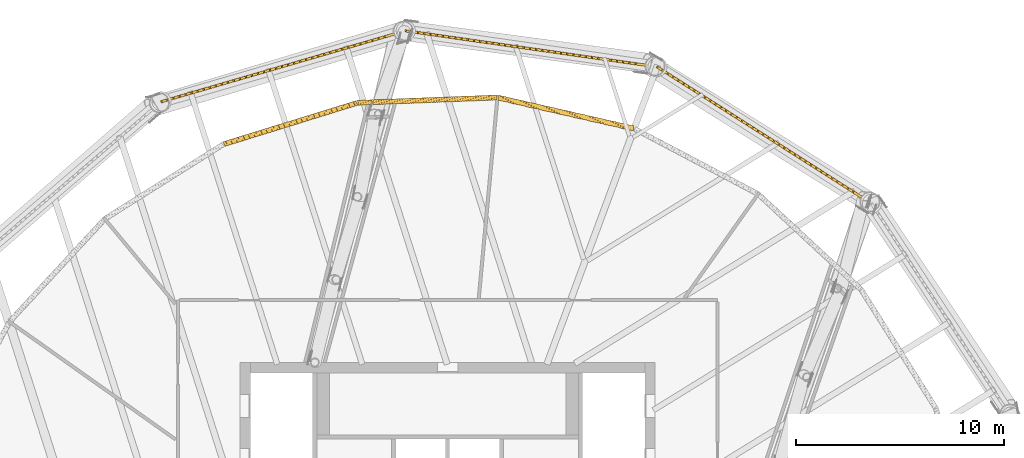
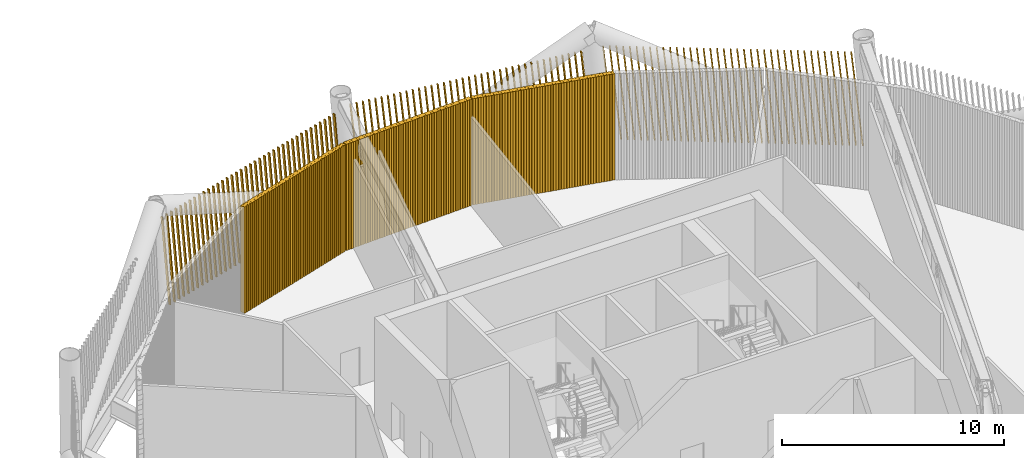
# One storey, part 39 of 40: 6 shading devices.
"""IFC4 building model written with IfcOpenShell, lengths in metres."""

from ifc_helpers import new_model, si_unit, direction, frame, frame_2d, origin, place, context, subcontext, project, spatial, rectangle, composite_profile, extrude, material, type_object, element, save


model = new_model("IFC4")

# Units and contexts
model_context = context("Model", 3, precision=1e-05, world=origin(), true_north=direction((0.0, 1.0)))
body_context = subcontext(model_context, "Body", "Model", "MODEL_VIEW")
ifc_project = project(units=[si_unit("LENGTHUNIT", "METRE"), si_unit("AREAUNIT", "SQUARE_METRE"), si_unit("VOLUMEUNIT", "CUBIC_METRE"), si_unit("PLANEANGLEUNIT", "RADIAN"), si_unit("MASSUNIT", "GRAM", prefix="KILO")], contexts=[model_context])

# Site, building, storey
site_placement = place(None, origin())
site = spatial("IfcSite", under=ifc_project, at=site_placement, CompositionType="ELEMENT")
building_placement = place(site_placement, origin())
building = spatial("IfcBuilding", under=site, at=building_placement, Name="Tarsis Ring Headquarters", CompositionType="ELEMENT")
storey_placement = place(building_placement, frame((0.0, 0.0, 354.800048828125)))
storey = spatial("IfcBuildingStorey", under=building, at=storey_placement, Name="L84", CompositionType="ELEMENT", Elevation=354.800048828125)

# Shading devices
ifc_material_1 = material(Name="Aluminium louvre", Category="aluminium")
shading_device_type_1 = type_object("IfcShadingDeviceType", Name="Plant louvre fin", PredefinedType="USERDEFINED", material=ifc_material_1)
shading_device_1_placement = place(storey_placement, frame((8.968994140625, 24.267333984375, 0.0), z_axis=(0.0, 0.0, 1.0), x_axis=(-0.975082634122, 0.221895318005, 0.0)))
element("IfcShadingDevice", 1, at=shading_device_1_placement, inside=storey, type_object=shading_device_type_1, Name="Louvre L84-24", ObjectType="Louvre", PredefinedType="USERDEFINED", context=body_context, shape_type="SweptSolid", body=[
    extrude(composite_profile([rectangle(XDim=0.1201171875, YDim=0.239990234375, at=frame_2d((0.076171875, 0.0), x_axis=(0.990268068742, 0.13917310096))), rectangle(XDim=0.1201171875, YDim=0.239990234375, at=frame_2d((0.202392578125, 0.0), x_axis=(0.990268068742, 0.13917310096))), rectangle(XDim=0.1201171875, YDim=0.239990234375, at=frame_2d((0.328857421875, 0.0), x_axis=(0.990268068742, 0.13917310096))), rectangle(XDim=0.1201171875, YDim=0.239990234375, at=frame_2d((0.455078125, 0.0), x_axis=(0.990268068742, 0.13917310096))), rectangle(XDim=0.1201171875, YDim=0.239990234375, at=frame_2d((0.58154296875, 0.0), x_axis=(0.990268068742, 0.13917310096))), rectangle(XDim=0.1201171875, YDim=0.239990234375, at=frame_2d((0.707763671875, 0.0), x_axis=(0.990268068742, 0.13917310096))), rectangle(XDim=0.1201171875, YDim=0.239990234375, at=frame_2d((0.834228515625, 0.0), x_axis=(0.990268068742, 0.13917310096))), rectangle(XDim=0.1201171875, YDim=0.239990234375, at=frame_2d((0.96044921875, 0.0), x_axis=(0.990268068742, 0.13917310096))), rectangle(XDim=0.1201171875, YDim=0.239990234375, at=frame_2d((1.0869140625, 0.0), x_axis=(0.990268068742, 0.13917310096))), rectangle(XDim=0.1201171875, YDim=0.239990234375, at=frame_2d((1.213134765625, 0.0), x_axis=(0.990268068742, 0.13917310096))), rectangle(XDim=0.1201171875, YDim=0.239990234375, at=frame_2d((1.33935546875, 0.0), x_axis=(0.990268068742, 0.13917310096))), rectangle(XDim=0.1201171875, YDim=0.239990234375, at=frame_2d((1.4658203125, 0.0), x_axis=(0.990268068742, 0.13917310096))), rectangle(XDim=0.1201171875, YDim=0.239990234375, at=frame_2d((1.592041015625, 0.0), x_axis=(0.990268068742, 0.13917310096))), rectangle(XDim=0.1201171875, YDim=0.239990234375, at=frame_2d((1.718505859375, 0.0), x_axis=(0.990268068742, 0.13917310096))), rectangle(XDim=0.1201171875, YDim=0.239990234375, at=frame_2d((1.8447265625, 0.0), x_axis=(0.990268068742, 0.13917310096))), rectangle(XDim=0.1201171875, YDim=0.239990234375, at=frame_2d((1.97119140625, 0.0), x_axis=(0.990268068742, 0.13917310096))), rectangle(XDim=0.1201171875, YDim=0.239990234375, at=frame_2d((2.097412109375, 0.0), x_axis=(0.990268068742, 0.13917310096))), rectangle(XDim=0.1201171875, YDim=0.239990234375, at=frame_2d((2.223876953125, 0.0), x_axis=(0.990268068742, 0.13917310096))), rectangle(XDim=0.1201171875, YDim=0.239990234375, at=frame_2d((2.35009765625, 0.0), x_axis=(0.990268068742, 0.13917310096))), rectangle(XDim=0.1201171875, YDim=0.239990234375, at=frame_2d((2.476318359375, 0.0), x_axis=(0.990268068742, 0.13917310096))), rectangle(XDim=0.1201171875, YDim=0.239990234375, at=frame_2d((2.602783203125, 0.0), x_axis=(0.990268068742, 0.13917310096))), rectangle(XDim=0.1201171875, YDim=0.239990234375, at=frame_2d((2.72900390625, 0.0), x_axis=(0.990268068742, 0.13917310096))), rectangle(XDim=0.1201171875, YDim=0.239990234375, at=frame_2d((2.85546875, 0.0), x_axis=(0.990268068742, 0.13917310096))), rectangle(XDim=0.1201171875, YDim=0.239990234375, at=frame_2d((2.981689453125, 0.0), x_axis=(0.990268068742, 0.13917310096))), rectangle(XDim=0.1201171875, YDim=0.239990234375, at=frame_2d((3.108154296875, 0.0), x_axis=(0.990268068742, 0.13917310096))), rectangle(XDim=0.1201171875, YDim=0.239990234375, at=frame_2d((3.234375, 0.0), x_axis=(0.990268068742, 0.13917310096))), rectangle(XDim=0.1201171875, YDim=0.239990234375, at=frame_2d((3.36083984375, 0.0), x_axis=(0.990268068742, 0.13917310096))), rectangle(XDim=0.1201171875, YDim=0.239990234375, at=frame_2d((3.487060546875, 0.0), x_axis=(0.990268068742, 0.13917310096))), rectangle(XDim=0.1201171875, YDim=0.239990234375, at=frame_2d((3.61328125, 0.0), x_axis=(0.990268068742, 0.13917310096))), rectangle(XDim=0.1201171875, YDim=0.239990234375, at=frame_2d((3.73974609375, 0.0), x_axis=(0.990268068742, 0.13917310096))), rectangle(XDim=0.1201171875, YDim=0.239990234375, at=frame_2d((3.865966796875, 0.0), x_axis=(0.990268068742, 0.13917310096))), rectangle(XDim=0.1201171875, YDim=0.239990234375, at=frame_2d((3.992431640625, 0.0), x_axis=(0.990268068742, 0.13917310096))), rectangle(XDim=0.1201171875, YDim=0.239990234375, at=frame_2d((4.11865234375, 0.0), x_axis=(0.990268068742, 0.13917310096))), rectangle(XDim=0.1201171875, YDim=0.239990234375, at=frame_2d((4.2451171875, 0.0), x_axis=(0.990268068742, 0.13917310096))), rectangle(XDim=0.1201171875, YDim=0.239990234375, at=frame_2d((4.371337890625, 0.0), x_axis=(0.990268068742, 0.13917310096))), rectangle(XDim=0.1201171875, YDim=0.239990234375, at=frame_2d((4.49755859375, 0.0), x_axis=(0.990268068742, 0.13917310096))), rectangle(XDim=0.1201171875, YDim=0.239990234375, at=frame_2d((4.6240234375, 0.0), x_axis=(0.990268068742, 0.13917310096))), rectangle(XDim=0.1201171875, YDim=0.239990234375, at=frame_2d((4.750244140625, 0.0), x_axis=(0.990268068742, 0.13917310096))), rectangle(XDim=0.1201171875, YDim=0.239990234375, at=frame_2d((4.876708984375, 0.0), x_axis=(0.990268068742, 0.13917310096))), rectangle(XDim=0.1201171875, YDim=0.239990234375, at=frame_2d((5.0029296875, 0.0), x_axis=(0.990268068742, 0.13917310096))), rectangle(XDim=0.1201171875, YDim=0.239990234375, at=frame_2d((5.12939453125, 0.0), x_axis=(0.990268068742, 0.13917310096))), rectangle(XDim=0.1201171875, YDim=0.239990234375, at=frame_2d((5.255615234375, 0.0), x_axis=(0.990268068742, 0.13917310096))), rectangle(XDim=0.1201171875, YDim=0.239990234375, at=frame_2d((5.382080078125, 0.0), x_axis=(0.990268068742, 0.13917310096))), rectangle(XDim=0.1201171875, YDim=0.239990234375, at=frame_2d((5.50830078125, 0.0), x_axis=(0.990268068742, 0.13917310096))), rectangle(XDim=0.1201171875, YDim=0.239990234375, at=frame_2d((5.634521484375, 0.0), x_axis=(0.990268068742, 0.13917310096))), rectangle(XDim=0.1201171875, YDim=0.239990234375, at=frame_2d((5.760986328125, 0.0), x_axis=(0.990268068742, 0.13917310096))), rectangle(XDim=0.1201171875, YDim=0.239990234375, at=frame_2d((5.88720703125, 0.0), x_axis=(0.990268068742, 0.13917310096))), rectangle(XDim=0.1201171875, YDim=0.239990234375, at=frame_2d((6.013671875, 0.0), x_axis=(0.990268068742, 0.13917310096))), rectangle(XDim=0.1201171875, YDim=0.239990234375, at=frame_2d((6.139892578125, 0.0), x_axis=(0.990268068742, 0.13917310096))), rectangle(XDim=0.1201171875, YDim=0.239990234375, at=frame_2d((6.266357421875, 0.0), x_axis=(0.990268068742, 0.13917310096))), rectangle(XDim=0.1201171875, YDim=0.239990234375, at=frame_2d((6.392578125, 0.0), x_axis=(0.990268068742, 0.13917310096))), rectangle(XDim=0.1201171875, YDim=0.239990234375, at=frame_2d((6.51904296875, 0.0), x_axis=(0.990268068742, 0.13917310096))), rectangle(XDim=0.1201171875, YDim=0.239990234375, at=frame_2d((6.645263671875, 0.0), x_axis=(0.990268068742, 0.13917310096)))]), origin(), (0.0, 0.0, 1.0), 5.83984375),
])
shading_device_2_placement = place(storey_placement, frame((2.382568359375, 25.76171875, 0.0), z_axis=(0.0, 0.0, 1.0), x_axis=(-0.99927357257, -0.038028475955, 0.0)))
element("IfcShadingDevice", 2, at=shading_device_2_placement, inside=storey, type_object=shading_device_type_1, Name="Louvre L84-25", ObjectType="Louvre", PredefinedType="USERDEFINED", context=body_context, shape_type="SweptSolid", body=[
    extrude(composite_profile([rectangle(XDim=0.1201171875, YDim=0.239990234375, at=frame_2d((0.076171875, 0.0), x_axis=(0.990268068742, 0.13917310096))), rectangle(XDim=0.1201171875, YDim=0.239990234375, at=frame_2d((0.202392578125, 0.0), x_axis=(0.990268068742, 0.13917310096))), rectangle(XDim=0.1201171875, YDim=0.239990234375, at=frame_2d((0.328857421875, 0.0), x_axis=(0.990268068742, 0.13917310096))), rectangle(XDim=0.1201171875, YDim=0.239990234375, at=frame_2d((0.455078125, 0.0), x_axis=(0.990268068742, 0.13917310096))), rectangle(XDim=0.1201171875, YDim=0.239990234375, at=frame_2d((0.58154296875, 0.0), x_axis=(0.990268068742, 0.13917310096))), rectangle(XDim=0.1201171875, YDim=0.239990234375, at=frame_2d((0.707763671875, 0.0), x_axis=(0.990268068742, 0.13917310096))), rectangle(XDim=0.1201171875, YDim=0.239990234375, at=frame_2d((0.834228515625, 0.0), x_axis=(0.990268068742, 0.13917310096))), rectangle(XDim=0.1201171875, YDim=0.239990234375, at=frame_2d((0.96044921875, 0.0), x_axis=(0.990268068742, 0.13917310096))), rectangle(XDim=0.1201171875, YDim=0.239990234375, at=frame_2d((1.0869140625, 0.0), x_axis=(0.990268068742, 0.13917310096))), rectangle(XDim=0.1201171875, YDim=0.239990234375, at=frame_2d((1.213134765625, 0.0), x_axis=(0.990268068742, 0.13917310096))), rectangle(XDim=0.1201171875, YDim=0.239990234375, at=frame_2d((1.339599609375, 0.0), x_axis=(0.990268068742, 0.13917310096))), rectangle(XDim=0.1201171875, YDim=0.239990234375, at=frame_2d((1.4658203125, 0.0), x_axis=(0.990268068742, 0.13917310096))), rectangle(XDim=0.1201171875, YDim=0.239990234375, at=frame_2d((1.59228515625, 0.0), x_axis=(0.990268068742, 0.13917310096))), rectangle(XDim=0.1201171875, YDim=0.239990234375, at=frame_2d((1.718505859375, 0.0), x_axis=(0.990268068742, 0.13917310096))), rectangle(XDim=0.1201171875, YDim=0.239990234375, at=frame_2d((1.8447265625, 0.0), x_axis=(0.990268068742, 0.13917310096))), rectangle(XDim=0.1201171875, YDim=0.239990234375, at=frame_2d((1.97119140625, 0.0), x_axis=(0.990268068742, 0.13917310096))), rectangle(XDim=0.1201171875, YDim=0.239990234375, at=frame_2d((2.097412109375, 0.0), x_axis=(0.990268068742, 0.13917310096))), rectangle(XDim=0.1201171875, YDim=0.239990234375, at=frame_2d((2.223876953125, 0.0), x_axis=(0.990268068742, 0.13917310096))), rectangle(XDim=0.1201171875, YDim=0.239990234375, at=frame_2d((2.35009765625, 0.0), x_axis=(0.990268068742, 0.13917310096))), rectangle(XDim=0.1201171875, YDim=0.239990234375, at=frame_2d((2.4765625, 0.0), x_axis=(0.990268068742, 0.13917310096))), rectangle(XDim=0.1201171875, YDim=0.239990234375, at=frame_2d((2.602783203125, 0.0), x_axis=(0.990268068742, 0.13917310096))), rectangle(XDim=0.1201171875, YDim=0.239990234375, at=frame_2d((2.729248046875, 0.0), x_axis=(0.990268068742, 0.13917310096))), rectangle(XDim=0.1201171875, YDim=0.239990234375, at=frame_2d((2.85546875, 0.0), x_axis=(0.990268068742, 0.13917310096))), rectangle(XDim=0.1201171875, YDim=0.239990234375, at=frame_2d((2.98193359375, 0.0), x_axis=(0.990268068742, 0.13917310096))), rectangle(XDim=0.1201171875, YDim=0.239990234375, at=frame_2d((3.108154296875, 0.0), x_axis=(0.990268068742, 0.13917310096))), rectangle(XDim=0.1201171875, YDim=0.239990234375, at=frame_2d((3.234619140625, 0.0), x_axis=(0.990268068742, 0.13917310096))), rectangle(XDim=0.1201171875, YDim=0.239990234375, at=frame_2d((3.36083984375, 0.0), x_axis=(0.990268068742, 0.13917310096))), rectangle(XDim=0.1201171875, YDim=0.239990234375, at=frame_2d((3.487060546875, 0.0), x_axis=(0.990268068742, 0.13917310096))), rectangle(XDim=0.1201171875, YDim=0.239990234375, at=frame_2d((3.613525390625, 0.0), x_axis=(0.990268068742, 0.13917310096))), rectangle(XDim=0.1201171875, YDim=0.239990234375, at=frame_2d((3.73974609375, 0.0), x_axis=(0.990268068742, 0.13917310096))), rectangle(XDim=0.1201171875, YDim=0.239990234375, at=frame_2d((3.8662109375, 0.0), x_axis=(0.990268068742, 0.13917310096))), rectangle(XDim=0.1201171875, YDim=0.239990234375, at=frame_2d((3.992431640625, 0.0), x_axis=(0.990268068742, 0.13917310096))), rectangle(XDim=0.1201171875, YDim=0.239990234375, at=frame_2d((4.118896484375, 0.0), x_axis=(0.990268068742, 0.13917310096))), rectangle(XDim=0.1201171875, YDim=0.239990234375, at=frame_2d((4.2451171875, 0.0), x_axis=(0.990268068742, 0.13917310096))), rectangle(XDim=0.1201171875, YDim=0.239990234375, at=frame_2d((4.37158203125, 0.0), x_axis=(0.990268068742, 0.13917310096))), rectangle(XDim=0.1201171875, YDim=0.239990234375, at=frame_2d((4.497802734375, 0.0), x_axis=(0.990268068742, 0.13917310096))), rectangle(XDim=0.1201171875, YDim=0.239990234375, at=frame_2d((4.624267578125, 0.0), x_axis=(0.990268068742, 0.13917310096))), rectangle(XDim=0.1201171875, YDim=0.239990234375, at=frame_2d((4.75048828125, 0.0), x_axis=(0.990268068742, 0.13917310096))), rectangle(XDim=0.1201171875, YDim=0.239990234375, at=frame_2d((4.876953125, 0.0), x_axis=(0.990268068742, 0.13917310096))), rectangle(XDim=0.1201171875, YDim=0.239990234375, at=frame_2d((5.003173828125, 0.0), x_axis=(0.990268068742, 0.13917310096))), rectangle(XDim=0.1201171875, YDim=0.239990234375, at=frame_2d((5.12939453125, 0.0), x_axis=(0.990268068742, 0.13917310096))), rectangle(XDim=0.1201171875, YDim=0.239990234375, at=frame_2d((5.255859375, 0.0), x_axis=(0.990268068742, 0.13917310096))), rectangle(XDim=0.1201171875, YDim=0.239990234375, at=frame_2d((5.382080078125, 0.0), x_axis=(0.990268068742, 0.13917310096))), rectangle(XDim=0.1201171875, YDim=0.239990234375, at=frame_2d((5.508544921875, 0.0), x_axis=(0.990268068742, 0.13917310096))), rectangle(XDim=0.1201171875, YDim=0.239990234375, at=frame_2d((5.634765625, 0.0), x_axis=(0.990268068742, 0.13917310096))), rectangle(XDim=0.1201171875, YDim=0.239990234375, at=frame_2d((5.76123046875, 0.0), x_axis=(0.990268068742, 0.13917310096))), rectangle(XDim=0.1201171875, YDim=0.239990234375, at=frame_2d((5.887451171875, 0.0), x_axis=(0.990268068742, 0.13917310096))), rectangle(XDim=0.1201171875, YDim=0.239990234375, at=frame_2d((6.013916015625, 0.0), x_axis=(0.990268068742, 0.13917310096))), rectangle(XDim=0.1201171875, YDim=0.239990234375, at=frame_2d((6.14013671875, 0.0), x_axis=(0.990268068742, 0.13917310096))), rectangle(XDim=0.1201171875, YDim=0.239990234375, at=frame_2d((6.2666015625, 0.0), x_axis=(0.990268068742, 0.13917310096))), rectangle(XDim=0.1201171875, YDim=0.239990234375, at=frame_2d((6.392822265625, 0.0), x_axis=(0.990268068742, 0.13917310096))), rectangle(XDim=0.1201171875, YDim=0.239990234375, at=frame_2d((6.519287109375, 0.0), x_axis=(0.990268068742, 0.13917310096))), rectangle(XDim=0.1201171875, YDim=0.239990234375, at=frame_2d((6.6455078125, 0.0), x_axis=(0.990268068742, 0.13917310096)))]), origin(), (0.0, 0.0, 1.0), 5.83984375),
])
shading_device_3_placement = place(storey_placement, frame((-4.3662109375, 25.500732421875, 0.0), z_axis=(0.0, 0.0, 1.0), x_axis=(-0.955395735716, -0.295376121463, 0.0)))
element("IfcShadingDevice", 3, at=shading_device_3_placement, inside=storey, type_object=shading_device_type_1, Name="Louvre L84-26", ObjectType="Louvre", PredefinedType="USERDEFINED", context=body_context, shape_type="SweptSolid", body=[
    extrude(composite_profile([rectangle(XDim=0.1201171875, YDim=0.239990234375, at=frame_2d((0.076171875, 0.0), x_axis=(0.990268068742, 0.13917310096))), rectangle(XDim=0.1201171875, YDim=0.239990234375, at=frame_2d((0.202392578125, 0.0), x_axis=(0.990268068742, 0.13917310096))), rectangle(XDim=0.1201171875, YDim=0.239990234375, at=frame_2d((0.328857421875, 0.0), x_axis=(0.990268068742, 0.13917310096))), rectangle(XDim=0.1201171875, YDim=0.239990234375, at=frame_2d((0.455078125, 0.0), x_axis=(0.990268068742, 0.13917310096))), rectangle(XDim=0.1201171875, YDim=0.239990234375, at=frame_2d((0.58154296875, 0.0), x_axis=(0.990268068742, 0.13917310096))), rectangle(XDim=0.1201171875, YDim=0.239990234375, at=frame_2d((0.707763671875, 0.0), x_axis=(0.990268068742, 0.13917310096))), rectangle(XDim=0.1201171875, YDim=0.239990234375, at=frame_2d((0.834228515625, 0.0), x_axis=(0.990268068742, 0.13917310096))), rectangle(XDim=0.1201171875, YDim=0.239990234375, at=frame_2d((0.96044921875, 0.0), x_axis=(0.990268068742, 0.13917310096))), rectangle(XDim=0.1201171875, YDim=0.239990234375, at=frame_2d((1.0869140625, 0.0), x_axis=(0.990268068742, 0.13917310096))), rectangle(XDim=0.1201171875, YDim=0.239990234375, at=frame_2d((1.213134765625, 0.0), x_axis=(0.990268068742, 0.13917310096))), rectangle(XDim=0.1201171875, YDim=0.239990234375, at=frame_2d((1.33935546875, 0.0), x_axis=(0.990268068742, 0.13917310096))), rectangle(XDim=0.1201171875, YDim=0.239990234375, at=frame_2d((1.4658203125, 0.0), x_axis=(0.990268068742, 0.13917310096))), rectangle(XDim=0.1201171875, YDim=0.239990234375, at=frame_2d((1.592041015625, 0.0), x_axis=(0.990268068742, 0.13917310096))), rectangle(XDim=0.1201171875, YDim=0.239990234375, at=frame_2d((1.718505859375, 0.0), x_axis=(0.990268068742, 0.13917310096))), rectangle(XDim=0.1201171875, YDim=0.239990234375, at=frame_2d((1.8447265625, 0.0), x_axis=(0.990268068742, 0.13917310096))), rectangle(XDim=0.1201171875, YDim=0.239990234375, at=frame_2d((1.97119140625, 0.0), x_axis=(0.990268068742, 0.13917310096))), rectangle(XDim=0.1201171875, YDim=0.239990234375, at=frame_2d((2.097412109375, 0.0), x_axis=(0.990268068742, 0.13917310096))), rectangle(XDim=0.1201171875, YDim=0.239990234375, at=frame_2d((2.223876953125, 0.0), x_axis=(0.990268068742, 0.13917310096))), rectangle(XDim=0.1201171875, YDim=0.239990234375, at=frame_2d((2.35009765625, 0.0), x_axis=(0.990268068742, 0.13917310096))), rectangle(XDim=0.1201171875, YDim=0.239990234375, at=frame_2d((2.476318359375, 0.0), x_axis=(0.990268068742, 0.13917310096))), rectangle(XDim=0.1201171875, YDim=0.239990234375, at=frame_2d((2.602783203125, 0.0), x_axis=(0.990268068742, 0.13917310096))), rectangle(XDim=0.1201171875, YDim=0.239990234375, at=frame_2d((2.72900390625, 0.0), x_axis=(0.990268068742, 0.13917310096))), rectangle(XDim=0.1201171875, YDim=0.239990234375, at=frame_2d((2.85546875, 0.0), x_axis=(0.990268068742, 0.13917310096))), rectangle(XDim=0.1201171875, YDim=0.239990234375, at=frame_2d((2.981689453125, 0.0), x_axis=(0.990268068742, 0.13917310096))), rectangle(XDim=0.1201171875, YDim=0.239990234375, at=frame_2d((3.108154296875, 0.0), x_axis=(0.990268068742, 0.13917310096))), rectangle(XDim=0.1201171875, YDim=0.239990234375, at=frame_2d((3.234375, 0.0), x_axis=(0.990268068742, 0.13917310096))), rectangle(XDim=0.1201171875, YDim=0.239990234375, at=frame_2d((3.36083984375, 0.0), x_axis=(0.990268068742, 0.13917310096))), rectangle(XDim=0.1201171875, YDim=0.239990234375, at=frame_2d((3.487060546875, 0.0), x_axis=(0.990268068742, 0.13917310096))), rectangle(XDim=0.1201171875, YDim=0.239990234375, at=frame_2d((3.61328125, 0.0), x_axis=(0.990268068742, 0.13917310096))), rectangle(XDim=0.1201171875, YDim=0.239990234375, at=frame_2d((3.73974609375, 0.0), x_axis=(0.990268068742, 0.13917310096))), rectangle(XDim=0.1201171875, YDim=0.239990234375, at=frame_2d((3.865966796875, 0.0), x_axis=(0.990268068742, 0.13917310096))), rectangle(XDim=0.1201171875, YDim=0.239990234375, at=frame_2d((3.992431640625, 0.0), x_axis=(0.990268068742, 0.13917310096))), rectangle(XDim=0.1201171875, YDim=0.239990234375, at=frame_2d((4.11865234375, 0.0), x_axis=(0.990268068742, 0.13917310096))), rectangle(XDim=0.1201171875, YDim=0.239990234375, at=frame_2d((4.2451171875, 0.0), x_axis=(0.990268068742, 0.13917310096))), rectangle(XDim=0.1201171875, YDim=0.239990234375, at=frame_2d((4.371337890625, 0.0), x_axis=(0.990268068742, 0.13917310096))), rectangle(XDim=0.1201171875, YDim=0.239990234375, at=frame_2d((4.49755859375, 0.0), x_axis=(0.990268068742, 0.13917310096))), rectangle(XDim=0.1201171875, YDim=0.239990234375, at=frame_2d((4.6240234375, 0.0), x_axis=(0.990268068742, 0.13917310096))), rectangle(XDim=0.1201171875, YDim=0.239990234375, at=frame_2d((4.750244140625, 0.0), x_axis=(0.990268068742, 0.13917310096))), rectangle(XDim=0.1201171875, YDim=0.239990234375, at=frame_2d((4.876708984375, 0.0), x_axis=(0.990268068742, 0.13917310096))), rectangle(XDim=0.1201171875, YDim=0.239990234375, at=frame_2d((5.0029296875, 0.0), x_axis=(0.990268068742, 0.13917310096))), rectangle(XDim=0.1201171875, YDim=0.239990234375, at=frame_2d((5.12939453125, 0.0), x_axis=(0.990268068742, 0.13917310096))), rectangle(XDim=0.1201171875, YDim=0.239990234375, at=frame_2d((5.255615234375, 0.0), x_axis=(0.990268068742, 0.13917310096))), rectangle(XDim=0.1201171875, YDim=0.239990234375, at=frame_2d((5.382080078125, 0.0), x_axis=(0.990268068742, 0.13917310096))), rectangle(XDim=0.1201171875, YDim=0.239990234375, at=frame_2d((5.50830078125, 0.0), x_axis=(0.990268068742, 0.13917310096))), rectangle(XDim=0.1201171875, YDim=0.239990234375, at=frame_2d((5.634521484375, 0.0), x_axis=(0.990268068742, 0.13917310096))), rectangle(XDim=0.1201171875, YDim=0.239990234375, at=frame_2d((5.760986328125, 0.0), x_axis=(0.990268068742, 0.13917310096))), rectangle(XDim=0.1201171875, YDim=0.239990234375, at=frame_2d((5.88720703125, 0.0), x_axis=(0.990268068742, 0.13917310096))), rectangle(XDim=0.1201171875, YDim=0.239990234375, at=frame_2d((6.013671875, 0.0), x_axis=(0.990268068742, 0.13917310096))), rectangle(XDim=0.1201171875, YDim=0.239990234375, at=frame_2d((6.139892578125, 0.0), x_axis=(0.990268068742, 0.13917310096))), rectangle(XDim=0.1201171875, YDim=0.239990234375, at=frame_2d((6.266357421875, 0.0), x_axis=(0.990268068742, 0.13917310096))), rectangle(XDim=0.1201171875, YDim=0.239990234375, at=frame_2d((6.392578125, 0.0), x_axis=(0.990268068742, 0.13917310096))), rectangle(XDim=0.1201171875, YDim=0.239990234375, at=frame_2d((6.51904296875, 0.0), x_axis=(0.990268068742, 0.13917310096))), rectangle(XDim=0.1201171875, YDim=0.239990234375, at=frame_2d((6.645263671875, 0.0), x_axis=(0.990268068742, 0.13917310096)))]), origin(), (0.0, 0.0, 1.0), 5.83984375),
])
ifc_material_2 = material(Name="Terracotta baguette", Category="masonry")
shading_device_type_2 = type_object("IfcShadingDeviceType", Name="Terracotta baguette screen", PredefinedType="USERDEFINED", material=ifc_material_2)
shading_device_4_placement = place(storey_placement, frame((19.997314453125, 20.9296875, 0.0), z_axis=(0.0, 0.0, 1.0), x_axis=(-0.843472599023, 0.537167661422, 0.0)))
element("IfcShadingDevice", 4, at=shading_device_4_placement, inside=storey, type_object=shading_device_type_2, Name="Baguette screen L84-08", ObjectType="Terracotta baguette screen", PredefinedType="USERDEFINED", context=body_context, shape_type="SweptSolid", body=[
    extrude(composite_profile([rectangle(XDim=0.06005859375, YDim=0.1201171875, at=frame_2d((0.030029296875, 0.0))), rectangle(XDim=0.06005859375, YDim=0.1201171875, at=frame_2d((0.33251953125, 0.0))), rectangle(XDim=0.06005859375, YDim=0.1201171875, at=frame_2d((0.634765625, 0.0))), rectangle(XDim=0.06005859375, YDim=0.1201171875, at=frame_2d((0.937255859375, 0.0))), rectangle(XDim=0.06005859375, YDim=0.1201171875, at=frame_2d((1.239501953125, 0.0))), rectangle(XDim=0.06005859375, YDim=0.1201171875, at=frame_2d((1.5419921875, 0.0))), rectangle(XDim=0.06005859375, YDim=0.1201171875, at=frame_2d((1.844482421875, 0.0))), rectangle(XDim=0.06005859375, YDim=0.1201171875, at=frame_2d((2.146728515625, 0.0))), rectangle(XDim=0.06005859375, YDim=0.1201171875, at=frame_2d((2.44921875, 0.0))), rectangle(XDim=0.06005859375, YDim=0.1201171875, at=frame_2d((2.751708984375, 0.0))), rectangle(XDim=0.06005859375, YDim=0.1201171875, at=frame_2d((3.053955078125, 0.0))), rectangle(XDim=0.06005859375, YDim=0.1201171875, at=frame_2d((3.3564453125, 0.0))), rectangle(XDim=0.06005859375, YDim=0.1201171875, at=frame_2d((3.65869140625, 0.0))), rectangle(XDim=0.06005859375, YDim=0.1201171875, at=frame_2d((3.961181640625, 0.0))), rectangle(XDim=0.06005859375, YDim=0.1201171875, at=frame_2d((4.263671875, 0.0))), rectangle(XDim=0.06005859375, YDim=0.1201171875, at=frame_2d((4.56591796875, 0.0))), rectangle(XDim=0.06005859375, YDim=0.1201171875, at=frame_2d((4.868408203125, 0.0))), rectangle(XDim=0.06005859375, YDim=0.1201171875, at=frame_2d((5.1708984375, 0.0))), rectangle(XDim=0.06005859375, YDim=0.1201171875, at=frame_2d((5.47314453125, 0.0))), rectangle(XDim=0.06005859375, YDim=0.1201171875, at=frame_2d((5.775634765625, 0.0))), rectangle(XDim=0.06005859375, YDim=0.1201171875, at=frame_2d((6.077880859375, 0.0))), rectangle(XDim=0.06005859375, YDim=0.1201171875, at=frame_2d((6.38037109375, 0.0))), rectangle(XDim=0.06005859375, YDim=0.1201171875, at=frame_2d((6.682861328125, 0.0))), rectangle(XDim=0.06005859375, YDim=0.1201171875, at=frame_2d((6.985107421875, 0.0))), rectangle(XDim=0.06005859375, YDim=0.1201171875, at=frame_2d((7.28759765625, 0.0))), rectangle(XDim=0.06005859375, YDim=0.1201171875, at=frame_2d((7.590087890625, 0.0))), rectangle(XDim=0.06005859375, YDim=0.1201171875, at=frame_2d((7.892333984375, 0.0))), rectangle(XDim=0.06005859375, YDim=0.1201171875, at=frame_2d((8.19482421875, 0.0))), rectangle(XDim=0.06005859375, YDim=0.1201171875, at=frame_2d((8.4970703125, 0.0))), rectangle(XDim=0.06005859375, YDim=0.1201171875, at=frame_2d((8.799560546875, 0.0))), rectangle(XDim=0.06005859375, YDim=0.1201171875, at=frame_2d((9.10205078125, 0.0))), rectangle(XDim=0.06005859375, YDim=0.1201171875, at=frame_2d((9.404296875, 0.0))), rectangle(XDim=0.06005859375, YDim=0.1201171875, at=frame_2d((9.706787109375, 0.0))), rectangle(XDim=0.06005859375, YDim=0.1201171875, at=frame_2d((10.00927734375, 0.0))), rectangle(XDim=0.06005859375, YDim=0.1201171875, at=frame_2d((10.3115234375, 0.0))), rectangle(XDim=0.06005859375, YDim=0.1201171875, at=frame_2d((10.614013671875, 0.0))), rectangle(XDim=0.06005859375, YDim=0.1201171875, at=frame_2d((10.916259765625, 0.0))), rectangle(XDim=0.06005859375, YDim=0.1201171875, at=frame_2d((11.21875, 0.0)))]), origin(), (0.100925509759, 0.000915762222, 0.994893563583), 5.106689453125),
])
shading_device_5_placement = place(storey_placement, frame((9.592529296875, 27.3115234375, 0.0), z_axis=(0.0, 0.0, 1.0), x_axis=(-0.989907759088, 0.141747151384, 0.0)))
element("IfcShadingDevice", 5, at=shading_device_5_placement, inside=storey, type_object=shading_device_type_2, Name="Baguette screen L84-09", ObjectType="Terracotta baguette screen", PredefinedType="USERDEFINED", context=body_context, shape_type="SweptSolid", body=[
    extrude(composite_profile([rectangle(XDim=0.06005859375, YDim=0.1201171875, at=frame_2d((0.030029296875, 0.0))), rectangle(XDim=0.06005859375, YDim=0.1201171875, at=frame_2d((0.33251953125, 0.0))), rectangle(XDim=0.06005859375, YDim=0.1201171875, at=frame_2d((0.634765625, 0.0))), rectangle(XDim=0.06005859375, YDim=0.1201171875, at=frame_2d((0.937255859375, 0.0))), rectangle(XDim=0.06005859375, YDim=0.1201171875, at=frame_2d((1.239501953125, 0.0))), rectangle(XDim=0.06005859375, YDim=0.1201171875, at=frame_2d((1.5419921875, 0.0))), rectangle(XDim=0.06005859375, YDim=0.1201171875, at=frame_2d((1.844482421875, 0.0))), rectangle(XDim=0.06005859375, YDim=0.1201171875, at=frame_2d((2.146728515625, 0.0))), rectangle(XDim=0.06005859375, YDim=0.1201171875, at=frame_2d((2.44921875, 0.0))), rectangle(XDim=0.06005859375, YDim=0.1201171875, at=frame_2d((2.751708984375, 0.0))), rectangle(XDim=0.06005859375, YDim=0.1201171875, at=frame_2d((3.053955078125, 0.0))), rectangle(XDim=0.06005859375, YDim=0.1201171875, at=frame_2d((3.3564453125, 0.0))), rectangle(XDim=0.06005859375, YDim=0.1201171875, at=frame_2d((3.65869140625, 0.0))), rectangle(XDim=0.06005859375, YDim=0.1201171875, at=frame_2d((3.961181640625, 0.0))), rectangle(XDim=0.06005859375, YDim=0.1201171875, at=frame_2d((4.263671875, 0.0))), rectangle(XDim=0.06005859375, YDim=0.1201171875, at=frame_2d((4.56591796875, 0.0))), rectangle(XDim=0.06005859375, YDim=0.1201171875, at=frame_2d((4.868408203125, 0.0))), rectangle(XDim=0.06005859375, YDim=0.1201171875, at=frame_2d((5.1708984375, 0.0))), rectangle(XDim=0.06005859375, YDim=0.1201171875, at=frame_2d((5.47314453125, 0.0))), rectangle(XDim=0.06005859375, YDim=0.1201171875, at=frame_2d((5.775634765625, 0.0))), rectangle(XDim=0.06005859375, YDim=0.1201171875, at=frame_2d((6.077880859375, 0.0))), rectangle(XDim=0.06005859375, YDim=0.1201171875, at=frame_2d((6.38037109375, 0.0))), rectangle(XDim=0.06005859375, YDim=0.1201171875, at=frame_2d((6.682861328125, 0.0))), rectangle(XDim=0.06005859375, YDim=0.1201171875, at=frame_2d((6.985107421875, 0.0))), rectangle(XDim=0.06005859375, YDim=0.1201171875, at=frame_2d((7.28759765625, 0.0))), rectangle(XDim=0.06005859375, YDim=0.1201171875, at=frame_2d((7.590087890625, 0.0))), rectangle(XDim=0.06005859375, YDim=0.1201171875, at=frame_2d((7.892333984375, 0.0))), rectangle(XDim=0.06005859375, YDim=0.1201171875, at=frame_2d((8.19482421875, 0.0))), rectangle(XDim=0.06005859375, YDim=0.1201171875, at=frame_2d((8.4970703125, 0.0))), rectangle(XDim=0.06005859375, YDim=0.1201171875, at=frame_2d((8.799560546875, 0.0))), rectangle(XDim=0.06005859375, YDim=0.1201171875, at=frame_2d((9.10205078125, 0.0))), rectangle(XDim=0.06005859375, YDim=0.1201171875, at=frame_2d((9.404296875, 0.0))), rectangle(XDim=0.06005859375, YDim=0.1201171875, at=frame_2d((9.706787109375, 0.0))), rectangle(XDim=0.06005859375, YDim=0.1201171875, at=frame_2d((10.00927734375, 0.0))), rectangle(XDim=0.06005859375, YDim=0.1201171875, at=frame_2d((10.3115234375, 0.0))), rectangle(XDim=0.06005859375, YDim=0.1201171875, at=frame_2d((10.614013671875, 0.0))), rectangle(XDim=0.06005859375, YDim=0.1201171875, at=frame_2d((10.916259765625, 0.0))), rectangle(XDim=0.06005859375, YDim=0.1201171875, at=frame_2d((11.21875, 0.0)))]), origin(), (0.100926229252, 0.000916105754, 0.994893490279), 5.106689453125),
])
shading_device_6_placement = place(storey_placement, frame((-2.517822265625, 28.83740234375, 0.0), z_axis=(0.0, 0.0, 1.0), x_axis=(-0.960325556158, -0.278871405317, 0.0)))
element("IfcShadingDevice", 6, at=shading_device_6_placement, inside=storey, type_object=shading_device_type_2, Name="Baguette screen L84-10", ObjectType="Terracotta baguette screen", PredefinedType="USERDEFINED", context=body_context, shape_type="SweptSolid", body=[
    extrude(composite_profile([rectangle(XDim=0.06005859375, YDim=0.1201171875, at=frame_2d((0.030029296875, 0.0))), rectangle(XDim=0.06005859375, YDim=0.1201171875, at=frame_2d((0.33251953125, 0.0))), rectangle(XDim=0.06005859375, YDim=0.1201171875, at=frame_2d((0.634765625, 0.0))), rectangle(XDim=0.06005859375, YDim=0.1201171875, at=frame_2d((0.937255859375, 0.0))), rectangle(XDim=0.06005859375, YDim=0.1201171875, at=frame_2d((1.239501953125, 0.0))), rectangle(XDim=0.06005859375, YDim=0.1201171875, at=frame_2d((1.5419921875, 0.0))), rectangle(XDim=0.06005859375, YDim=0.1201171875, at=frame_2d((1.844482421875, 0.0))), rectangle(XDim=0.06005859375, YDim=0.1201171875, at=frame_2d((2.146728515625, 0.0))), rectangle(XDim=0.06005859375, YDim=0.1201171875, at=frame_2d((2.44921875, 0.0))), rectangle(XDim=0.06005859375, YDim=0.1201171875, at=frame_2d((2.751708984375, 0.0))), rectangle(XDim=0.06005859375, YDim=0.1201171875, at=frame_2d((3.053955078125, 0.0))), rectangle(XDim=0.06005859375, YDim=0.1201171875, at=frame_2d((3.3564453125, 0.0))), rectangle(XDim=0.06005859375, YDim=0.1201171875, at=frame_2d((3.65869140625, 0.0))), rectangle(XDim=0.06005859375, YDim=0.1201171875, at=frame_2d((3.961181640625, 0.0))), rectangle(XDim=0.06005859375, YDim=0.1201171875, at=frame_2d((4.263671875, 0.0))), rectangle(XDim=0.06005859375, YDim=0.1201171875, at=frame_2d((4.56591796875, 0.0))), rectangle(XDim=0.06005859375, YDim=0.1201171875, at=frame_2d((4.868408203125, 0.0))), rectangle(XDim=0.06005859375, YDim=0.1201171875, at=frame_2d((5.1708984375, 0.0))), rectangle(XDim=0.06005859375, YDim=0.1201171875, at=frame_2d((5.47314453125, 0.0))), rectangle(XDim=0.06005859375, YDim=0.1201171875, at=frame_2d((5.775634765625, 0.0))), rectangle(XDim=0.06005859375, YDim=0.1201171875, at=frame_2d((6.077880859375, 0.0))), rectangle(XDim=0.06005859375, YDim=0.1201171875, at=frame_2d((6.38037109375, 0.0))), rectangle(XDim=0.06005859375, YDim=0.1201171875, at=frame_2d((6.682861328125, 0.0))), rectangle(XDim=0.06005859375, YDim=0.1201171875, at=frame_2d((6.985107421875, 0.0))), rectangle(XDim=0.06005859375, YDim=0.1201171875, at=frame_2d((7.28759765625, 0.0))), rectangle(XDim=0.06005859375, YDim=0.1201171875, at=frame_2d((7.590087890625, 0.0))), rectangle(XDim=0.06005859375, YDim=0.1201171875, at=frame_2d((7.892333984375, 0.0))), rectangle(XDim=0.06005859375, YDim=0.1201171875, at=frame_2d((8.19482421875, 0.0))), rectangle(XDim=0.06005859375, YDim=0.1201171875, at=frame_2d((8.4970703125, 0.0))), rectangle(XDim=0.06005859375, YDim=0.1201171875, at=frame_2d((8.799560546875, 0.0))), rectangle(XDim=0.06005859375, YDim=0.1201171875, at=frame_2d((9.10205078125, 0.0))), rectangle(XDim=0.06005859375, YDim=0.1201171875, at=frame_2d((9.404296875, 0.0))), rectangle(XDim=0.06005859375, YDim=0.1201171875, at=frame_2d((9.706787109375, 0.0))), rectangle(XDim=0.06005859375, YDim=0.1201171875, at=frame_2d((10.00927734375, 0.0))), rectangle(XDim=0.06005859375, YDim=0.1201171875, at=frame_2d((10.3115234375, 0.0))), rectangle(XDim=0.06005859375, YDim=0.1201171875, at=frame_2d((10.614013671875, 0.0))), rectangle(XDim=0.06005859375, YDim=0.1201171875, at=frame_2d((10.916259765625, 0.0))), rectangle(XDim=0.06005859375, YDim=0.1201171875, at=frame_2d((11.21875, 0.0)))]), origin(), (0.100925481599, 0.000917309949, 0.994893565014), 5.106689453125),
])

save(model, "model.ifc")
